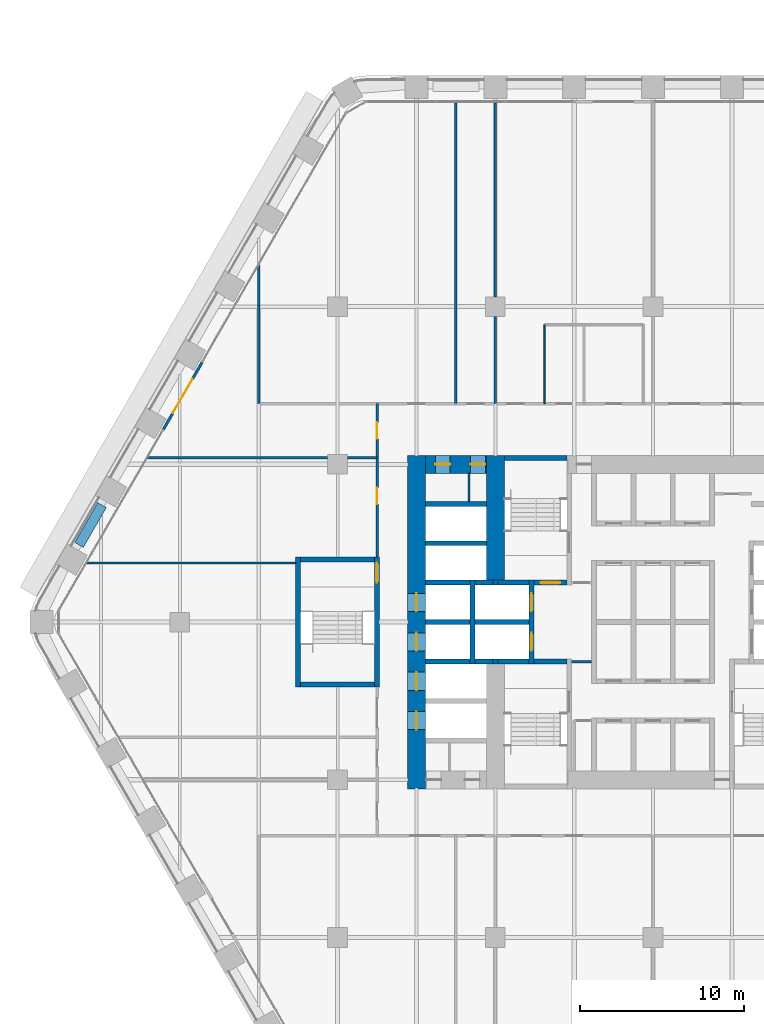
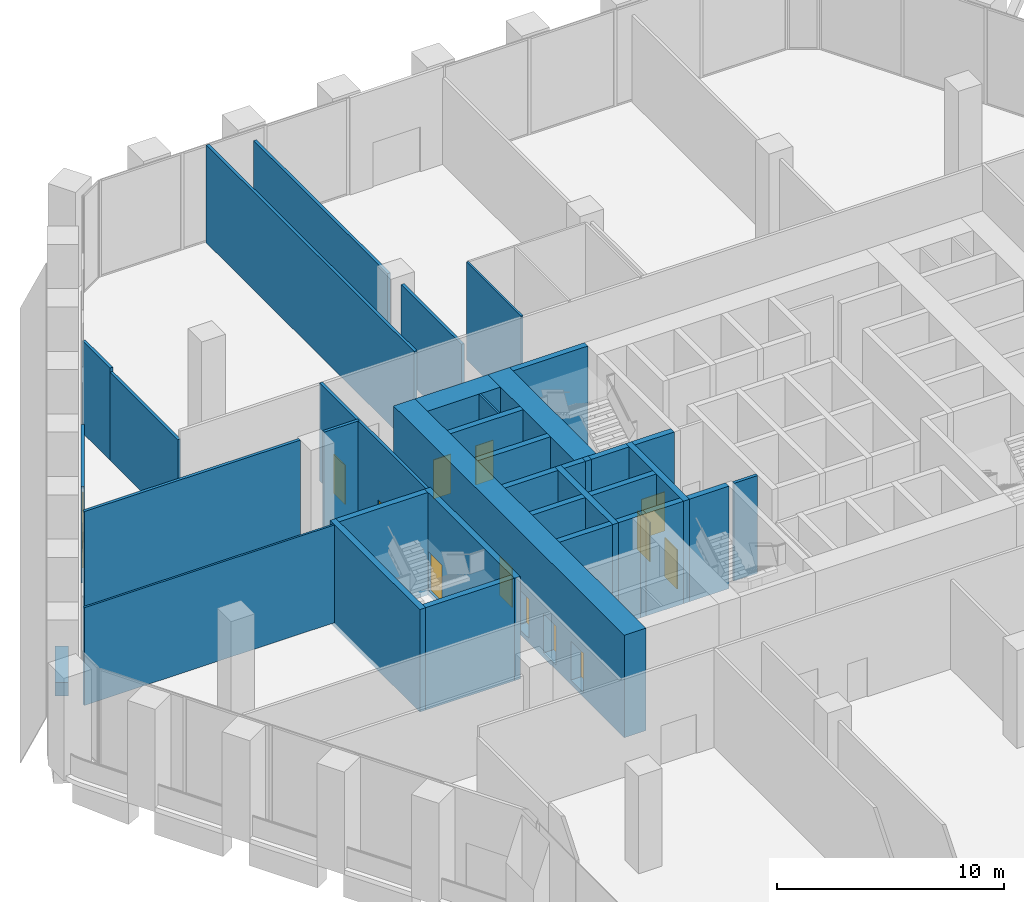
# One storey, part 20 of 29: 38 walls, 13 doors, 13 openings.
"""IFC4 building model written with IfcOpenShell, lengths in metres."""

from ifc_helpers import new_model, si_unit, direction, frame, frame_2d, origin, place, context, subcontext, project, spatial, rectangle, extrude, material, layer, layer_set, type_object, element, fill, save


model = new_model("IFC4")

# Units and contexts
model_context = context("Model", 3, precision=1e-05, world=origin(), true_north=direction((0.0, 1.0)))
body_context = subcontext(model_context, "Body", "Model", "MODEL_VIEW")
ifc_project = project(units=[si_unit("LENGTHUNIT", "METRE"), si_unit("AREAUNIT", "SQUARE_METRE"), si_unit("VOLUMEUNIT", "CUBIC_METRE"), si_unit("PLANEANGLEUNIT", "RADIAN"), si_unit("MASSUNIT", "GRAM", prefix="KILO")], contexts=[model_context])

# Site, building, storey
site_placement = place(None, origin())
site = spatial("IfcSite", under=ifc_project, at=site_placement, CompositionType="ELEMENT")
building_placement = place(site_placement, origin())
building = spatial("IfcBuilding", under=site, at=building_placement, Name="Kolab Exchange Tower", CompositionType="ELEMENT")
storey_placement = place(building_placement, frame((0.0, 0.0, 55.39990234375)))
storey = spatial("IfcBuildingStorey", under=building, at=storey_placement, Name="L10", CompositionType="ELEMENT", Elevation=55.39990234375)

# Wall, openings, doors
ifc_material_1 = material(Name="Concrete C80/95", Category="concrete")
ifc_layer_1 = layer(ifc_material_1, 1.10009765625)
ifc_layer_set_1 = layer_set([ifc_layer_1], Name="Concrete C80/95")
wall_type_1 = type_object("IfcWallType", Name="CORE WALL 1100 C80/95", PredefinedType="SHEAR", material=ifc_layer_set_1)
wall_1_placement = place(storey_placement, frame((-13.85009765625, 9.60009765625, -0.25), z_axis=(0.0, 0.0, 1.0), x_axis=(1.0, 0.0, 0.0)))
wall_1 = element("IfcWall", 1, at=wall_1_placement, inside=storey, type_object=wall_type_1, Name="wall/L10/core/051", PredefinedType="SHEAR", context=body_context, shape_type="SweptSolid", body=[
    extrude(rectangle(XDim=3.7001953125, YDim=1.10009765625, at=frame_2d((1.85009765625, 0.0))), origin(), (0.0, 0.0, 1.0), 5.5),
])
opening_1_placement = place(wall_1_placement, frame((0.60009765625, 0.0, 0.25)))
opening_1 = element("IfcOpeningElement", 2, at=opening_1_placement, cuts=wall_1, Name="Opening D6-108", PredefinedType="OPENING", context=body_context, shape_type="SweptSolid", body=[
    extrude(rectangle(XDim=0.89990234375, YDim=2.10009765625, at=frame_2d((0.449951171875, 1.050048828125))), frame((0.0, 0.56005859375, 0.0), z_axis=(0.0, -1.0, 0.0), x_axis=(1.0, 0.0, 0.0)), (0.0, 0.0, 1.0), 1.1201171875),
])
opening_2_placement = place(wall_1_placement, frame((2.75, 0.0, 0.25)))
opening_2 = element("IfcOpeningElement", 3, at=opening_2_placement, cuts=wall_1, Name="Opening D6-109", PredefinedType="OPENING", context=body_context, shape_type="SweptSolid", body=[
    extrude(rectangle(XDim=0.89990234375, YDim=2.10009765625, at=frame_2d((0.449951171875, 1.050048828125))), frame((0.0, 0.56005859375, 0.0), z_axis=(0.0, -1.0, 0.0), x_axis=(1.0, 0.0, 0.0)), (0.0, 0.0, 1.0), 1.1201171875),
])
ifc_material_2 = material(Name="Steel S235", Category="steel")
door_type_1 = type_object("IfcDoorType", Name="CORE DOOR 900 EI 120", OperationType="SINGLE_SWING_LEFT", PredefinedType="DOOR", material=ifc_material_2)
door_1_placement = place(opening_1_placement, frame((0.89990234375, 0.0, 0.0), z_axis=(0.0, 0.0, 1.0), x_axis=(-1.0, 0.0, 0.0)))
door_1 = element("IfcDoor", 4, at=door_1_placement, inside=storey, type_object=door_type_1, Name="Service room door", OperationType="SINGLE_SWING_RIGHT", OverallHeight=2.10009765625, OverallWidth=0.89990234375, PredefinedType="DOOR", context=body_context, shape_type="SweptSolid", body=[
    extrude(rectangle(XDim=0.89990234375, YDim=2.10009765625, at=frame_2d((0.449951171875, 1.050048828125))), frame((0.0, 0.02490234375, 0.0), z_axis=(0.0, -1.0, 0.0), x_axis=(1.0, 0.0, 0.0)), (0.0, 0.0, 1.0), 0.050048828125),
])
fill(opening_1, door_1)
door_2_placement = place(opening_2_placement, frame((0.89990234375, 0.0, 0.0), z_axis=(0.0, 0.0, 1.0), x_axis=(-1.0, 0.0, 0.0)))
door_2 = element("IfcDoor", 5, at=door_2_placement, inside=storey, type_object=door_type_1, Name="Service room door", OperationType="SINGLE_SWING_LEFT", OverallHeight=2.10009765625, OverallWidth=0.89990234375, PredefinedType="DOOR", context=body_context, shape_type="SweptSolid", body=[
    extrude(rectangle(XDim=0.89990234375, YDim=2.10009765625, at=frame_2d((0.449951171875, 1.050048828125))), frame((0.0, 0.02490234375, 0.0), z_axis=(0.0, -1.0, 0.0), x_axis=(1.0, 0.0, 0.0)), (0.0, 0.0, 1.0), 0.050048828125),
])
fill(opening_2, door_2)

wall_2_placement = place(storey_placement, frame((-14.39990234375, -10.14990234375, -0.25), z_axis=(0.0, 0.0, 1.0), x_axis=(0.0, 1.0, 0.0)))
wall_2 = element("IfcWall", 6, at=wall_2_placement, inside=storey, type_object=wall_type_1, Name="wall/L10/core/057", PredefinedType="SHEAR", context=body_context, shape_type="SweptSolid", body=[
    extrude(rectangle(XDim=20.2998046875, YDim=1.10009765625, at=frame_2d((10.14990234375, 0.0))), origin(), (0.0, 0.0, 1.0), 5.5),
])
opening_3_placement = place(wall_2_placement, frame((3.60009765625, 0.0, 0.25)))
opening_3 = element("IfcOpeningElement", 7, at=opening_3_placement, cuts=wall_2, Name="Opening LD1-041", PredefinedType="OPENING", context=body_context, shape_type="SweptSolid", body=[
    extrude(rectangle(XDim=1.10009765625, YDim=2.10009765625, at=frame_2d((0.550048828125, 1.050048828125))), frame((0.0, 0.56005859375, 0.0), z_axis=(0.0, -1.0, 0.0), x_axis=(1.0, 0.0, 0.0)), (0.0, 0.0, 1.0), 1.1201171875),
])
opening_4_placement = place(wall_2_placement, frame((6.0, 0.0, 0.25)))
opening_4 = element("IfcOpeningElement", 8, at=opening_4_placement, cuts=wall_2, Name="Opening LD1-042", PredefinedType="OPENING", context=body_context, shape_type="SweptSolid", body=[
    extrude(rectangle(XDim=1.10009765625, YDim=2.10009765625, at=frame_2d((0.550048828125, 1.050048828125))), frame((0.0, 0.56005859375, 0.0), z_axis=(0.0, -1.0, 0.0), x_axis=(1.0, 0.0, 0.0)), (0.0, 0.0, 1.0), 1.1201171875),
])
opening_5_placement = place(wall_2_placement, frame((8.39990234375, 0.0, 0.25)))
opening_5 = element("IfcOpeningElement", 9, at=opening_5_placement, cuts=wall_2, Name="Opening LD1-043", PredefinedType="OPENING", context=body_context, shape_type="SweptSolid", body=[
    extrude(rectangle(XDim=1.10009765625, YDim=2.10009765625, at=frame_2d((0.550048828125, 1.050048828125))), frame((0.0, 0.56005859375, 0.0), z_axis=(0.0, -1.0, 0.0), x_axis=(1.0, 0.0, 0.0)), (0.0, 0.0, 1.0), 1.1201171875),
])
opening_6_placement = place(wall_2_placement, frame((10.800048828125, 0.0, 0.25)))
opening_6 = element("IfcOpeningElement", 10, at=opening_6_placement, cuts=wall_2, Name="Opening LD1-044", PredefinedType="OPENING", context=body_context, shape_type="SweptSolid", body=[
    extrude(rectangle(XDim=1.10009765625, YDim=2.10009765625, at=frame_2d((0.550048828125, 1.050048828125))), frame((0.0, 0.56005859375, 0.0), z_axis=(0.0, -1.0, 0.0), x_axis=(1.0, 0.0, 0.0)), (0.0, 0.0, 1.0), 1.1201171875),
])
ifc_material_3 = material(Name="Stainless steel 316", Category="steel")
door_type_2 = type_object("IfcDoorType", Name="LANDING DOOR 1100 PASSENGER", OperationType="DOUBLE_DOOR_SLIDING", PredefinedType="DOOR", material=ifc_material_3)
door_3_placement = place(opening_3_placement, origin())
door_3 = element("IfcDoor", 11, at=door_3_placement, inside=storey, type_object=door_type_2, Name="Landing door LR5", OperationType="DOUBLE_DOOR_SLIDING", OverallHeight=2.10009765625, OverallWidth=1.10009765625, PredefinedType="DOOR", context=body_context, shape_type="SweptSolid", body=[
    extrude(rectangle(XDim=1.10009765625, YDim=2.10009765625, at=frame_2d((0.550048828125, 1.050048828125))), frame((0.0, 0.02490234375, 0.0), z_axis=(0.0, -1.0, 0.0), x_axis=(1.0, 0.0, 0.0)), (0.0, 0.0, 1.0), 0.050048828125),
])
fill(opening_3, door_3)
door_4_placement = place(opening_4_placement, origin())
door_4 = element("IfcDoor", 12, at=door_4_placement, inside=storey, type_object=door_type_2, Name="Landing door LR6", OperationType="DOUBLE_DOOR_SLIDING", OverallHeight=2.10009765625, OverallWidth=1.10009765625, PredefinedType="DOOR", context=body_context, shape_type="SweptSolid", body=[
    extrude(rectangle(XDim=1.10009765625, YDim=2.10009765625, at=frame_2d((0.550048828125, 1.050048828125))), frame((0.0, 0.02490234375, 0.0), z_axis=(0.0, -1.0, 0.0), x_axis=(1.0, 0.0, 0.0)), (0.0, 0.0, 1.0), 0.050048828125),
])
fill(opening_4, door_4)
door_5_placement = place(opening_5_placement, origin())
door_5 = element("IfcDoor", 13, at=door_5_placement, inside=storey, type_object=door_type_2, Name="Landing door LR7", OperationType="DOUBLE_DOOR_SLIDING", OverallHeight=2.10009765625, OverallWidth=1.10009765625, PredefinedType="DOOR", context=body_context, shape_type="SweptSolid", body=[
    extrude(rectangle(XDim=1.10009765625, YDim=2.10009765625, at=frame_2d((0.550048828125, 1.050048828125))), frame((0.0, 0.02490234375, 0.0), z_axis=(0.0, -1.0, 0.0), x_axis=(1.0, 0.0, 0.0)), (0.0, 0.0, 1.0), 0.050048828125),
])
fill(opening_5, door_5)
door_6_placement = place(opening_6_placement, origin())
door_6 = element("IfcDoor", 14, at=door_6_placement, inside=storey, type_object=door_type_2, Name="Landing door LR8", OperationType="DOUBLE_DOOR_SLIDING", OverallHeight=2.10009765625, OverallWidth=1.10009765625, PredefinedType="DOOR", context=body_context, shape_type="SweptSolid", body=[
    extrude(rectangle(XDim=1.10009765625, YDim=2.10009765625, at=frame_2d((0.550048828125, 1.050048828125))), frame((0.0, 0.02490234375, 0.0), z_axis=(0.0, -1.0, 0.0), x_axis=(1.0, 0.0, 0.0)), (0.0, 0.0, 1.0), 0.050048828125),
])
fill(opening_6, door_6)

# Wall
wall_3_placement = place(storey_placement, frame((-9.60009765625, 2.550048828125, -0.25), z_axis=(0.0, 0.0, 1.0), x_axis=(0.0, 1.0, 0.0)))
element("IfcWall", 15, at=wall_3_placement, inside=storey, type_object=wall_type_1, Name="wall/L10/core/062", PredefinedType="SHEAR", context=body_context, shape_type="SweptSolid", body=[
    extrude(rectangle(XDim=7.599853515625, YDim=1.10009765625, at=frame_2d((3.7998046875, 0.0))), origin(), (0.0, 0.0, 1.0), 5.5),
])

# Wall, opening, door
ifc_material_4 = material(Name="Aluminium EN AW-6063 T6", Category="aluminium")
ifc_layer_2 = layer(ifc_material_4, 0.159912109375)
ifc_layer_set_2 = layer_set([ifc_layer_2], Name="Aluminium EN AW-6063 T6")
wall_type_2 = type_object("IfcWallType", Name="DOOR SURROUND WALL 160 ALUMINIUM FRAMED", PredefinedType="PARTITIONING", material=ifc_layer_set_2)
wall_4_placement = place(storey_placement, frame((-29.816650390625, 11.706787109375, 0.0), z_axis=(0.0, 0.0, 1.0), x_axis=(0.499978080042, 0.866038058908, 0.0)))
wall_4 = element("IfcWall", 16, at=wall_4_placement, inside=storey, type_object=wall_type_2, Name="Door surround wall", PredefinedType="PARTITIONING", context=body_context, shape_type="SweptSolid", body=[
    extrude(rectangle(XDim=4.739990234375, YDim=0.159912109375, at=frame_2d((2.3701171875, 0.0))), origin(), (0.0, 0.0, 1.0), 5.2001953125),
])
opening_7_placement = place(wall_4_placement, frame((1.169921875, 0.0, 0.0)))
opening_7 = element("IfcOpeningElement", 17, at=opening_7_placement, cuts=wall_4, Name="Opening GD1-028", PredefinedType="OPENING", context=body_context, shape_type="SweptSolid", body=[
    extrude(rectangle(XDim=2.39990234375, YDim=2.39990234375, at=frame_2d((1.199951171875, 1.199951171875))), frame((0.0, 0.08984375, 0.0), z_axis=(0.0, -1.0, 0.0), x_axis=(1.0, 0.0, 0.0)), (0.0, 0.0, 1.0), 0.179931640625),
])
door_type_3 = type_object("IfcDoorType", Name="LOGGIA SLIDING GLASS DOOR 2400 X 2400", OperationType="DOUBLE_DOOR_SINGLE_SWING", PredefinedType="DOOR", material=ifc_material_4)
door_7_placement = place(opening_7_placement, origin())
door_7 = element("IfcDoor", 18, at=door_7_placement, inside=storey, type_object=door_type_3, Name="Loggia door", OperationType="DOUBLE_DOOR_SLIDING", OverallHeight=2.39990234375, OverallWidth=2.39990234375, PredefinedType="DOOR", context=body_context, shape_type="SweptSolid", body=[
    extrude(rectangle(XDim=2.39990234375, YDim=2.39990234375, at=frame_2d((1.199951171875, 1.199951171875))), frame((0.0, 0.02490234375, 0.0), z_axis=(0.0, -1.0, 0.0), x_axis=(1.0, 0.0, 0.0)), (0.0, 0.0, 1.0), 0.050048828125),
])
fill(opening_7, door_7)

# Walls
ifc_material_5 = material(Name="Concrete C50/60", Category="concrete")
ifc_layer_3 = layer(ifc_material_5, 0.300048828125)
ifc_layer_set_3 = layer_set([ifc_layer_3], Name="Concrete C50/60")
wall_type_3 = type_object("IfcWallType", Name="LIFT SHAFT WALL 300 C50/60", PredefinedType="STANDARD", material=ifc_layer_set_3)
wall_5_placement = place(storey_placement, frame((-13.85009765625, -2.39990234375, -0.25), z_axis=(0.0, 0.0, 1.0), x_axis=(1.0, 0.0, 0.0)))
element("IfcWall", 19, at=wall_5_placement, inside=storey, type_object=wall_type_3, Name="wall/L10/core/017", PredefinedType="STANDARD", context=body_context, shape_type="SweptSolid", body=[
    extrude(rectangle(XDim=2.7001953125, YDim=0.300048828125, at=frame_2d((1.35009765625, 0.0))), origin(), (0.0, 0.0, 1.0), 5.5),
])
wall_6_placement = place(storey_placement, frame((-10.85009765625, -2.39990234375, -0.25), z_axis=(0.0, 0.0, 1.0), x_axis=(1.0, 0.0, 0.0)))
element("IfcWall", 20, at=wall_6_placement, inside=storey, type_object=wall_type_3, Name="wall/L10/core/018", PredefinedType="STANDARD", context=body_context, shape_type="SweptSolid", body=[
    extrude(rectangle(XDim=1.10009765625, YDim=0.300048828125, at=frame_2d((0.550048828125, 0.0))), origin(), (0.0, 0.0, 1.0), 5.5),
])
wall_7_placement = place(storey_placement, frame((-13.85009765625, 0.0, -0.25), z_axis=(0.0, 0.0, 1.0), x_axis=(1.0, 0.0, 0.0)))
element("IfcWall", 21, at=wall_7_placement, inside=storey, type_object=wall_type_3, Name="wall/L10/core/024", PredefinedType="STANDARD", context=body_context, shape_type="SweptSolid", body=[
    extrude(rectangle(XDim=2.7001953125, YDim=0.300048828125, at=frame_2d((1.35009765625, 0.0))), origin(), (0.0, 0.0, 1.0), 5.5),
])
wall_8_placement = place(storey_placement, frame((-10.85009765625, 0.0, -0.25), z_axis=(0.0, 0.0, 1.0), x_axis=(1.0, 0.0, 0.0)))
element("IfcWall", 22, at=wall_8_placement, inside=storey, type_object=wall_type_3, Name="wall/L10/core/025", PredefinedType="STANDARD", context=body_context, shape_type="SweptSolid", body=[
    extrude(rectangle(XDim=3.300048828125, YDim=0.300048828125, at=frame_2d((1.64990234375, 0.0))), origin(), (0.0, 0.0, 1.0), 5.5),
])
wall_9_placement = place(storey_placement, frame((-13.85009765625, 2.39990234375, -0.25), z_axis=(0.0, 0.0, 1.0), x_axis=(1.0, 0.0, 0.0)))
element("IfcWall", 23, at=wall_9_placement, inside=storey, type_object=wall_type_3, Name="wall/L10/core/031", PredefinedType="STANDARD", context=body_context, shape_type="SweptSolid", body=[
    extrude(rectangle(XDim=2.7001953125, YDim=0.300048828125, at=frame_2d((1.35009765625, 0.0))), origin(), (0.0, 0.0, 1.0), 5.5),
])
wall_10_placement = place(storey_placement, frame((-10.85009765625, 2.39990234375, -0.25), z_axis=(0.0, 0.0, 1.0), x_axis=(1.0, 0.0, 0.0)))
element("IfcWall", 24, at=wall_10_placement, inside=storey, type_object=wall_type_3, Name="wall/L10/core/032", PredefinedType="STANDARD", context=body_context, shape_type="SweptSolid", body=[
    extrude(rectangle(XDim=1.10009765625, YDim=0.300048828125, at=frame_2d((0.550048828125, 0.0))), origin(), (0.0, 0.0, 1.0), 5.5),
])
for number, where, z_axis, x_axis, name in (
    (25, (-13.85009765625, 4.800048828125, -0.25), (0.0, 0.0, 1.0), (1.0, 0.0, 0.0), "wall/L10/core/042"),
    (26, (-13.85009765625, 7.199951171875, -0.25), (0.0, 0.0, 1.0), (1.0, 0.0, 0.0), "wall/L10/core/048"),
):
    element("IfcWall", number, at=place(storey_placement, frame(where, z_axis=z_axis, x_axis=x_axis)), inside=storey, type_object=wall_type_3, Name=name, PredefinedType="STANDARD", context=body_context, shape_type="SweptSolid", body=[
        extrude(rectangle(XDim=3.7001953125, YDim=0.300048828125, at=frame_2d((1.85009765625, 0.0))), origin(), (0.0, 0.0, 1.0), 5.5),
    ])
wall_11_placement = place(storey_placement, frame((-11.0, -2.550048828125, -0.25), z_axis=(0.0, 0.0, 1.0), x_axis=(0.0, 1.0, 0.0)))
element("IfcWall", 27, at=wall_11_placement, inside=storey, type_object=wall_type_3, Name="wall/L10/core/058", PredefinedType="STANDARD", context=body_context, shape_type="SweptSolid", body=[
    extrude(rectangle(XDim=5.10009765625, YDim=0.300048828125, at=frame_2d((2.550048828125, 0.0))), origin(), (0.0, 0.0, 1.0), 5.5),
])

# Wall, openings, doors
wall_12_placement = place(storey_placement, frame((-7.39990234375, -2.550048828125, -0.25), z_axis=(0.0, 0.0, 1.0), x_axis=(0.0, 1.0, 0.0)))
wall_12 = element("IfcWall", 28, at=wall_12_placement, inside=storey, type_object=wall_type_3, Name="wall/L10/core/063", PredefinedType="STANDARD", context=body_context, shape_type="SweptSolid", body=[
    extrude(rectangle(XDim=5.10009765625, YDim=0.300048828125, at=frame_2d((2.550048828125, 0.0))), origin(), (0.0, 0.0, 1.0), 5.5),
])
opening_8_placement = place(wall_12_placement, frame((0.800048828125, 0.0, 0.25)))
opening_8 = element("IfcOpeningElement", 29, at=opening_8_placement, cuts=wall_12, Name="Opening LD2-009", PredefinedType="OPENING", context=body_context, shape_type="SweptSolid", body=[
    extrude(rectangle(XDim=1.10009765625, YDim=2.10009765625, at=frame_2d((0.550048828125, 1.050048828125))), frame((0.0, 0.16015625, 0.0), z_axis=(0.0, -1.0, 0.0), x_axis=(1.0, 0.0, 0.0)), (0.0, 0.0, 1.0), 0.320068359375),
])
opening_9_placement = place(wall_12_placement, frame((3.199951171875, 0.0, 0.25)))
opening_9 = element("IfcOpeningElement", 30, at=opening_9_placement, cuts=wall_12, Name="Opening LD2-010", PredefinedType="OPENING", context=body_context, shape_type="SweptSolid", body=[
    extrude(rectangle(XDim=1.10009765625, YDim=2.10009765625, at=frame_2d((0.550048828125, 1.050048828125))), frame((0.0, 0.16015625, 0.0), z_axis=(0.0, -1.0, 0.0), x_axis=(1.0, 0.0, 0.0)), (0.0, 0.0, 1.0), 0.320068359375),
])
door_type_4 = type_object("IfcDoorType", Name="LANDING DOOR 1100 FIREFIGHTING", OperationType="DOUBLE_DOOR_SLIDING", PredefinedType="DOOR", material=ifc_material_3)
door_8_placement = place(opening_8_placement, origin())
door_8 = element("IfcDoor", 31, at=door_8_placement, inside=storey, type_object=door_type_4, Name="Landing door FF1", OperationType="DOUBLE_DOOR_SLIDING", OverallHeight=2.10009765625, OverallWidth=1.10009765625, PredefinedType="DOOR", context=body_context, shape_type="SweptSolid", body=[
    extrude(rectangle(XDim=1.10009765625, YDim=2.10009765625, at=frame_2d((0.550048828125, 1.050048828125))), frame((0.0, 0.02490234375, 0.0), z_axis=(0.0, -1.0, 0.0), x_axis=(1.0, 0.0, 0.0)), (0.0, 0.0, 1.0), 0.050048828125),
])
fill(opening_8, door_8)
door_9_placement = place(opening_9_placement, origin())
door_9 = element("IfcDoor", 32, at=door_9_placement, inside=storey, type_object=door_type_4, Name="Landing door FF2", OperationType="DOUBLE_DOOR_SLIDING", OverallHeight=2.10009765625, OverallWidth=1.10009765625, PredefinedType="DOOR", context=body_context, shape_type="SweptSolid", body=[
    extrude(rectangle(XDim=1.10009765625, YDim=2.10009765625, at=frame_2d((0.550048828125, 1.050048828125))), frame((0.0, 0.02490234375, 0.0), z_axis=(0.0, -1.0, 0.0), x_axis=(1.0, 0.0, 0.0)), (0.0, 0.0, 1.0), 0.050048828125),
])
fill(opening_9, door_9)

# Walls
ifc_material_6 = material(Name="Gypsum board", Category="gypsum")
ifc_layer_4 = layer(ifc_material_6, 0.10009765625)
ifc_layer_set_4 = layer_set([ifc_layer_4], Name="Gypsum board")
wall_type_4 = type_object("IfcWallType", Name="PARTITION 100", PredefinedType="PARTITIONING", material=ifc_layer_set_4)
wall_13_placement = place(storey_placement, frame((-6.60009765625, 13.300048828125, 0.0), z_axis=(0.0, 0.0, 1.0), x_axis=(0.0, 1.0, 0.0)))
element("IfcWall", 33, at=wall_13_placement, inside=storey, type_object=wall_type_4, Name="Partition 019", PredefinedType="PARTITIONING", context=body_context, shape_type="SweptSolid", body=[
    extrude(rectangle(XDim=4.800048828125, YDim=0.10009765625, at=frame_2d((2.39990234375, 0.0))), origin(), (0.0, 0.0, 1.0), 5.25),
])
wall_14_placement = place(storey_placement, frame((-11.199951171875, 7.35009765625, 0.0), z_axis=(0.0, 0.0, 1.0), x_axis=(0.0, 1.0, 0.0)))
element("IfcWall", 34, at=wall_14_placement, inside=storey, type_object=wall_type_4, Name="Partition 024", PredefinedType="PARTITIONING", context=body_context, shape_type="SweptSolid", body=[
    extrude(rectangle(XDim=1.699951171875, YDim=0.10009765625, at=frame_2d((0.85009765625, 0.0))), origin(), (0.0, 0.0, 1.0), 5.25),
])
wall_15_placement = place(storey_placement, frame((-34.450927734375, 3.60009765625, 0.0), z_axis=(0.0, 0.0, 1.0), x_axis=(1.0, 0.0, 0.0)))
element("IfcWall", 35, at=wall_15_placement, inside=storey, type_object=wall_type_4, Name="Partition 040", PredefinedType="PARTITIONING", context=body_context, shape_type="SweptSolid", body=[
    extrude(rectangle(XDim=12.700927734375, YDim=0.10009765625, at=frame_2d((6.3505859375, 0.0))), origin(), (0.0, 0.0, 1.0), 5.25),
])
ifc_layer_5 = layer(ifc_material_6, 0.14990234375)
ifc_layer_set_5 = layer_set([ifc_layer_5], Name="Gypsum board")
wall_type_5 = type_object("IfcWallType", Name="PARTITION 150 FIRE-RATED", PredefinedType="PARTITIONING", material=ifc_layer_set_5)
wall_16_placement = place(storey_placement, frame((-9.60009765625, 13.300048828125, 0.0), z_axis=(0.0, 0.0, 1.0), x_axis=(0.0, 1.0, 0.0)))
element("IfcWall", 36, at=wall_16_placement, inside=storey, type_object=wall_type_5, Name="Partition 022", PredefinedType="PARTITIONING", context=body_context, shape_type="SweptSolid", body=[
    extrude(rectangle(XDim=5.300048828125, YDim=0.14990234375, at=frame_2d((2.64990234375, 0.0))), origin(), (0.0, 0.0, 1.0), 4.793212890625),
])
wall_17_placement = place(storey_placement, frame((-9.60009765625, 19.800048828125, 0.0), z_axis=(0.0, 0.0, 1.0), x_axis=(0.0, 1.0, 0.0)))
element("IfcWall", 37, at=wall_17_placement, inside=storey, type_object=wall_type_5, Name="Partition 023", PredefinedType="PARTITIONING", context=body_context, shape_type="SweptSolid", body=[
    extrude(rectangle(XDim=11.785400390625, YDim=0.14990234375, at=frame_2d((5.892578125, 0.0))), origin(), (0.0, 0.0, 1.0), 4.64208984375),
])
wall_18_placement = place(storey_placement, frame((-12.0, 13.300048828125, 0.0), z_axis=(0.0, 0.0, 1.0), x_axis=(0.0, 1.0, 0.0)))
element("IfcWall", 38, at=wall_18_placement, inside=storey, type_object=wall_type_5, Name="Partition 026", PredefinedType="PARTITIONING", context=body_context, shape_type="SweptSolid", body=[
    extrude(rectangle(XDim=18.285400390625, YDim=0.14990234375, at=frame_2d((9.142578125, 0.0))), origin(), (0.0, 0.0, 1.0), 5.25),
])

# Wall, openings, doors
wall_19_placement = place(storey_placement, frame((-16.800048828125, 3.949951171875, 0.0), z_axis=(0.0, 0.0, 1.0), x_axis=(0.0, 1.0, 0.0)))
wall_19 = element("IfcWall", 39, at=wall_19_placement, inside=storey, type_object=wall_type_5, Name="Partition 029", PredefinedType="PARTITIONING", context=body_context, shape_type="SweptSolid", body=[
    extrude(rectangle(XDim=9.35009765625, YDim=0.14990234375, at=frame_2d((4.675048828125, 0.0))), origin(), (0.0, 0.0, 1.0), 5.25),
])
opening_10_placement = place(wall_19_placement, frame((3.22509765625, 0.0, 0.0)))
opening_10 = element("IfcOpeningElement", 40, at=opening_10_placement, cuts=wall_19, Name="Opening D1-128", PredefinedType="OPENING", context=body_context, shape_type="SweptSolid", body=[
    extrude(rectangle(XDim=1.0, YDim=2.10009765625, at=frame_2d((0.5, 1.050048828125))), frame((0.0, 0.0849609375, 0.0), z_axis=(0.0, -1.0, 0.0), x_axis=(1.0, 0.0, 0.0)), (0.0, 0.0, 1.0), 0.169921875),
])
opening_11_placement = place(wall_19_placement, frame((7.199951171875, 0.0, 0.0)))
opening_11 = element("IfcOpeningElement", 41, at=opening_11_placement, cuts=wall_19, Name="Opening D1-123", PredefinedType="OPENING", context=body_context, shape_type="SweptSolid", body=[
    extrude(rectangle(XDim=1.0, YDim=2.10009765625, at=frame_2d((0.5, 1.050048828125))), frame((0.0, 0.0849609375, 0.0), z_axis=(0.0, -1.0, 0.0), x_axis=(1.0, 0.0, 0.0)), (0.0, 0.0, 1.0), 0.169921875),
])
door_type_5 = type_object("IfcDoorType", Name="FLUSH DOOR 1000 FD60", OperationType="SINGLE_SWING_LEFT", PredefinedType="DOOR", material=ifc_material_2)
door_10_placement = place(opening_10_placement, origin())
door_10 = element("IfcDoor", 42, at=door_10_placement, inside=storey, type_object=door_type_5, Name="Door L10-069", OperationType="SINGLE_SWING_RIGHT", OverallHeight=2.10009765625, OverallWidth=1.0, PredefinedType="DOOR", context=body_context, shape_type="SweptSolid", body=[
    extrude(rectangle(XDim=1.0, YDim=2.10009765625, at=frame_2d((0.5, 1.050048828125))), frame((0.0, 0.02490234375, 0.0), z_axis=(0.0, -1.0, 0.0), x_axis=(1.0, 0.0, 0.0)), (0.0, 0.0, 1.0), 0.050048828125),
])
fill(opening_10, door_10)
door_11_placement = place(opening_11_placement, origin())
door_11 = element("IfcDoor", 43, at=door_11_placement, inside=storey, type_object=door_type_5, Name="Door L10-070", OperationType="SINGLE_SWING_LEFT", OverallHeight=2.10009765625, OverallWidth=1.0, PredefinedType="DOOR", context=body_context, shape_type="SweptSolid", body=[
    extrude(rectangle(XDim=1.0, YDim=2.10009765625, at=frame_2d((0.5, 1.050048828125))), frame((0.0, 0.02490234375, 0.0), z_axis=(0.0, -1.0, 0.0), x_axis=(1.0, 0.0, 0.0)), (0.0, 0.0, 1.0), 0.050048828125),
])
fill(opening_11, door_11)

# Walls
wall_20_placement = place(storey_placement, frame((-24.0, 13.300048828125, 0.0), z_axis=(0.0, 0.0, 1.0), x_axis=(0.0, 1.0, 0.0)))
element("IfcWall", 44, at=wall_20_placement, inside=storey, type_object=wall_type_5, Name="Partition 031", PredefinedType="PARTITIONING", context=body_context, shape_type="SweptSolid", body=[
    extrude(rectangle(XDim=5.973876953125, YDim=0.14990234375, at=frame_2d((2.98681640625, 0.0))), origin(), (0.0, 0.0, 1.0), 4.717041015625),
])
wall_21_placement = place(storey_placement, frame((-24.0, 19.27392578125, 0.0), z_axis=(0.0, 0.0, 1.0), x_axis=(0.0, 1.0, 0.0)))
element("IfcWall", 45, at=wall_21_placement, inside=storey, type_object=wall_type_5, Name="Partition 031", PredefinedType="PARTITIONING", context=body_context, shape_type="SweptSolid", body=[
    extrude(rectangle(XDim=2.427490234375, YDim=0.14990234375, at=frame_2d((1.2138671875, 0.0))), origin(), (0.0, 0.0, 1.0), 4.940185546875),
])
wall_22_placement = place(storey_placement, frame((-30.755859375, 10.0, 0.0), z_axis=(0.0, 0.0, 1.0), x_axis=(1.0, 0.0, 0.0)))
element("IfcWall", 46, at=wall_22_placement, inside=storey, type_object=wall_type_5, Name="Partition 046", PredefinedType="PARTITIONING", context=body_context, shape_type="SweptSolid", body=[
    extrude(rectangle(XDim=10.955810546875, YDim=0.14990234375, at=frame_2d((5.47802734375, 0.0))), origin(), (0.0, 0.0, 1.0), 5.25),
])
wall_23_placement = place(storey_placement, frame((-18.60009765625, 10.0, 0.0), z_axis=(0.0, 0.0, 1.0), x_axis=(1.0, 0.0, 0.0)))
element("IfcWall", 47, at=wall_23_placement, inside=storey, type_object=wall_type_5, Name="Partition 047", PredefinedType="PARTITIONING", context=body_context, shape_type="SweptSolid", body=[
    extrude(rectangle(XDim=1.800048828125, YDim=0.14990234375, at=frame_2d((0.89990234375, 0.0))), origin(), (0.0, 0.0, 1.0), 5.25),
])
wall_24_placement = place(storey_placement, frame((-4.949951171875, -2.39990234375, 0.0), z_axis=(0.0, 0.0, 1.0), x_axis=(1.0, 0.0, 0.0)))
element("IfcWall", 48, at=wall_24_placement, inside=storey, type_object=wall_type_5, Name="Fire partition", PredefinedType="PARTITIONING", context=body_context, shape_type="SweptSolid", body=[
    extrude(rectangle(XDim=1.199951171875, YDim=0.14990234375, at=frame_2d((0.60009765625, 0.0))), origin(), (0.0, 0.0, 1.0), 5.25),
])
ifc_material_7 = material(Name="Granite facing", Category="masonry")
ifc_layer_6 = layer(ifc_material_7, 0.0400390625)
ifc_material_8 = material(Name="Concrete C40/50 precast", Category="concrete")
ifc_layer_7 = layer(ifc_material_8, 0.56005859375)
ifc_layer_set_6 = layer_set([ifc_layer_6, ifc_layer_7], Name="Concrete C40/50 precast")
wall_type_6 = type_object("IfcWallType", Name="PLANTER BOX 600 X 700 SOIL DEPTH 550", PredefinedType="USERDEFINED", material=ifc_layer_set_6)
wall_25_placement = place(storey_placement, frame((-34.93701171875, 4.697998046875, 0.0), z_axis=(0.0, 0.0, 1.0), x_axis=(0.49998411664, 0.866034573852, 0.0)))
element("IfcWall", 49, at=wall_25_placement, inside=storey, type_object=wall_type_6, Name="Planter", ObjectType="PLANTER", PredefinedType="USERDEFINED", context=body_context, shape_type="SweptSolid", body=[
    extrude(rectangle(XDim=2.7998046875, YDim=0.60009765625, at=frame_2d((1.39990234375, 0.0))), origin(), (0.0, 0.0, 1.0), 0.7001953125),
])
ifc_layer_8 = layer(ifc_material_5, 0.300048828125)
ifc_layer_set_7 = layer_set([ifc_layer_8], Name="Concrete C50/60")
wall_type_7 = type_object("IfcWallType", Name="STAIR ENCLOSURE WALL 300 C50/60", PredefinedType="STANDARD", material=ifc_layer_set_7)
wall_26_placement = place(storey_placement, frame((-21.449951171875, -3.800048828125, -0.25), z_axis=(0.0, 0.0, 1.0), x_axis=(1.0, 0.0, 0.0)))
element("IfcWall", 50, at=wall_26_placement, inside=storey, type_object=wall_type_7, Name="wall/L10/core/012", PredefinedType="STANDARD", context=body_context, shape_type="SweptSolid", body=[
    extrude(rectangle(XDim=4.5, YDim=0.300048828125, at=frame_2d((2.25, 0.0))), origin(), (0.0, 0.0, 1.0), 5.5),
])
wall_27_placement = place(storey_placement, frame((-9.449951171875, -2.39990234375, -0.25), z_axis=(0.0, 0.0, 1.0), x_axis=(1.0, 0.0, 0.0)))
element("IfcWall", 51, at=wall_27_placement, inside=storey, type_object=wall_type_7, Name="wall/L10/core/019", PredefinedType="STANDARD", context=body_context, shape_type="SweptSolid", body=[
    extrude(rectangle(XDim=1.89990234375, YDim=0.300048828125, at=frame_2d((0.949951171875, 0.0))), origin(), (0.0, 0.0, 1.0), 5.5),
])
wall_28_placement = place(storey_placement, frame((-7.25, -2.39990234375, -0.25), z_axis=(0.0, 0.0, 1.0), x_axis=(1.0, 0.0, 0.0)))
element("IfcWall", 52, at=wall_28_placement, inside=storey, type_object=wall_type_7, Name="wall/L10/core/020", PredefinedType="STANDARD", context=body_context, shape_type="SweptSolid", body=[
    extrude(rectangle(XDim=2.0, YDim=0.300048828125, at=frame_2d((1.0, 0.0))), origin(), (0.0, 0.0, 1.0), 5.5),
])
wall_29_placement = place(storey_placement, frame((-9.449951171875, 2.39990234375, -0.25), z_axis=(0.0, 0.0, 1.0), x_axis=(1.0, 0.0, 0.0)))
element("IfcWall", 53, at=wall_29_placement, inside=storey, type_object=wall_type_7, Name="wall/L10/core/033", PredefinedType="STANDARD", context=body_context, shape_type="SweptSolid", body=[
    extrude(rectangle(XDim=1.89990234375, YDim=0.300048828125, at=frame_2d((0.949951171875, 0.0))), origin(), (0.0, 0.0, 1.0), 5.5),
])

# Wall, opening, door
wall_30_placement = place(storey_placement, frame((-7.25, 2.39990234375, -0.25), z_axis=(0.0, 0.0, 1.0), x_axis=(1.0, 0.0, 0.0)))
wall_30 = element("IfcWall", 54, at=wall_30_placement, inside=storey, type_object=wall_type_7, Name="wall/L10/core/034", PredefinedType="STANDARD", context=body_context, shape_type="SweptSolid", body=[
    extrude(rectangle(XDim=2.0, YDim=0.300048828125, at=frame_2d((1.0, 0.0))), origin(), (0.0, 0.0, 1.0), 5.5),
])
opening_12_placement = place(wall_30_placement, frame((0.39990234375, 0.0, 0.25)))
opening_12 = element("IfcOpeningElement", 55, at=opening_12_placement, cuts=wall_30, Name="Opening D4-019", PredefinedType="OPENING", context=body_context, shape_type="SweptSolid", body=[
    extrude(rectangle(XDim=1.199951171875, YDim=2.10009765625, at=frame_2d((0.60009765625, 1.050048828125))), frame((0.0, 0.16015625, 0.0), z_axis=(0.0, -1.0, 0.0), x_axis=(1.0, 0.0, 0.0)), (0.0, 0.0, 1.0), 0.320068359375),
])
door_type_6 = type_object("IfcDoorType", Name="STAIR DOOR 1200 EI 120", OperationType="SINGLE_SWING_LEFT", PredefinedType="DOOR", material=ifc_material_2)
door_12_placement = place(opening_12_placement, origin())
door_12 = element("IfcDoor", 56, at=door_12_placement, inside=storey, type_object=door_type_6, Name="Stair 1 door", OperationType="SINGLE_SWING_RIGHT", OverallHeight=2.10009765625, OverallWidth=1.199951171875, PredefinedType="DOOR", context=body_context, shape_type="SweptSolid", body=[
    extrude(rectangle(XDim=1.199951171875, YDim=2.10009765625, at=frame_2d((0.60009765625, 1.050048828125))), frame((0.0, 0.02490234375, 0.0), z_axis=(0.0, -1.0, 0.0), x_axis=(1.0, 0.0, 0.0)), (0.0, 0.0, 1.0), 0.050048828125),
])
fill(opening_12, door_12)

# Walls
wall_31_placement = place(storey_placement, frame((-21.449951171875, 3.800048828125, -0.25), z_axis=(0.0, 0.0, 1.0), x_axis=(1.0, 0.0, 0.0)))
element("IfcWall", 57, at=wall_31_placement, inside=storey, type_object=wall_type_7, Name="wall/L10/core/040", PredefinedType="STANDARD", context=body_context, shape_type="SweptSolid", body=[
    extrude(rectangle(XDim=4.5, YDim=0.300048828125, at=frame_2d((2.25, 0.0))), origin(), (0.0, 0.0, 1.0), 5.5),
])
wall_32_placement = place(storey_placement, frame((-9.050048828125, 10.0, -0.25), z_axis=(0.0, 0.0, 1.0), x_axis=(1.0, 0.0, 0.0)))
element("IfcWall", 58, at=wall_32_placement, inside=storey, type_object=wall_type_7, Name="wall/L10/core/054", PredefinedType="STANDARD", context=body_context, shape_type="SweptSolid", body=[
    extrude(rectangle(XDim=3.800048828125, YDim=0.300048828125, at=frame_2d((1.89990234375, 0.0))), origin(), (0.0, 0.0, 1.0), 5.5),
])
wall_33_placement = place(storey_placement, frame((-21.60009765625, -3.949951171875, -0.25), z_axis=(0.0, 0.0, 1.0), x_axis=(0.0, 1.0, 0.0)))
element("IfcWall", 59, at=wall_33_placement, inside=storey, type_object=wall_type_7, Name="wall/L10/core/055", PredefinedType="STANDARD", context=body_context, shape_type="SweptSolid", body=[
    extrude(rectangle(XDim=7.89990234375, YDim=0.300048828125, at=frame_2d((3.949951171875, 0.0))), origin(), (0.0, 0.0, 1.0), 5.5),
])

# Wall, opening, door
wall_34_placement = place(storey_placement, frame((-16.800048828125, -3.949951171875, -0.25), z_axis=(0.0, 0.0, 1.0), x_axis=(0.0, 1.0, 0.0)))
wall_34 = element("IfcWall", 60, at=wall_34_placement, inside=storey, type_object=wall_type_7, Name="wall/L10/core/056", PredefinedType="STANDARD", context=body_context, shape_type="SweptSolid", body=[
    extrude(rectangle(XDim=7.89990234375, YDim=0.300048828125, at=frame_2d((3.949951171875, 0.0))), origin(), (0.0, 0.0, 1.0), 5.5),
])
opening_13_placement = place(wall_34_placement, frame((6.35009765625, 0.0, 0.25)))
opening_13 = element("IfcOpeningElement", 61, at=opening_13_placement, cuts=wall_34, Name="Opening D4-024", PredefinedType="OPENING", context=body_context, shape_type="SweptSolid", body=[
    extrude(rectangle(XDim=1.199951171875, YDim=2.10009765625, at=frame_2d((0.60009765625, 1.050048828125))), frame((0.0, 0.16015625, 0.0), z_axis=(0.0, -1.0, 0.0), x_axis=(1.0, 0.0, 0.0)), (0.0, 0.0, 1.0), 0.320068359375),
])
door_13_placement = place(opening_13_placement, origin())
door_13 = element("IfcDoor", 62, at=door_13_placement, inside=storey, type_object=door_type_6, Name="Stair 5 door", OperationType="SINGLE_SWING_RIGHT", OverallHeight=2.10009765625, OverallWidth=1.199951171875, PredefinedType="DOOR", context=body_context, shape_type="SweptSolid", body=[
    extrude(rectangle(XDim=1.199951171875, YDim=2.10009765625, at=frame_2d((0.60009765625, 1.050048828125))), frame((0.0, 0.02490234375, 0.0), z_axis=(0.0, -1.0, 0.0), x_axis=(1.0, 0.0, 0.0)), (0.0, 0.0, 1.0), 0.050048828125),
])
fill(opening_13, door_13)

# Walls
for number, where, z_axis, x_axis, name in (
    (63, (-9.60009765625, -2.550048828125, -0.25), (0.0, 0.0, 1.0), (0.0, 1.0, 0.0), "wall/L10/core/060"),
    (64, (-9.60009765625, 2.25, -0.25), (0.0, 0.0, 1.0), (0.0, 1.0, 0.0), "wall/L10/core/061"),
):
    element("IfcWall", number, at=place(storey_placement, frame(where, z_axis=z_axis, x_axis=x_axis)), inside=storey, type_object=wall_type_7, Name=name, PredefinedType="STANDARD", context=body_context, shape_type="SweptSolid", body=[
        extrude(rectangle(XDim=0.300048828125, YDim=0.300048828125, at=frame_2d((0.14990234375, 0.0))), origin(), (0.0, 0.0, 1.0), 5.5),
    ])

save(model, "model.ifc")
